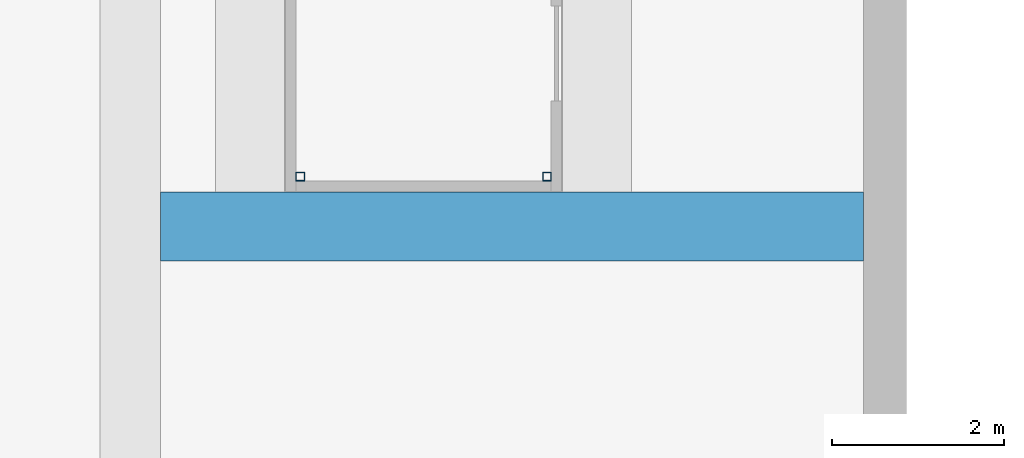
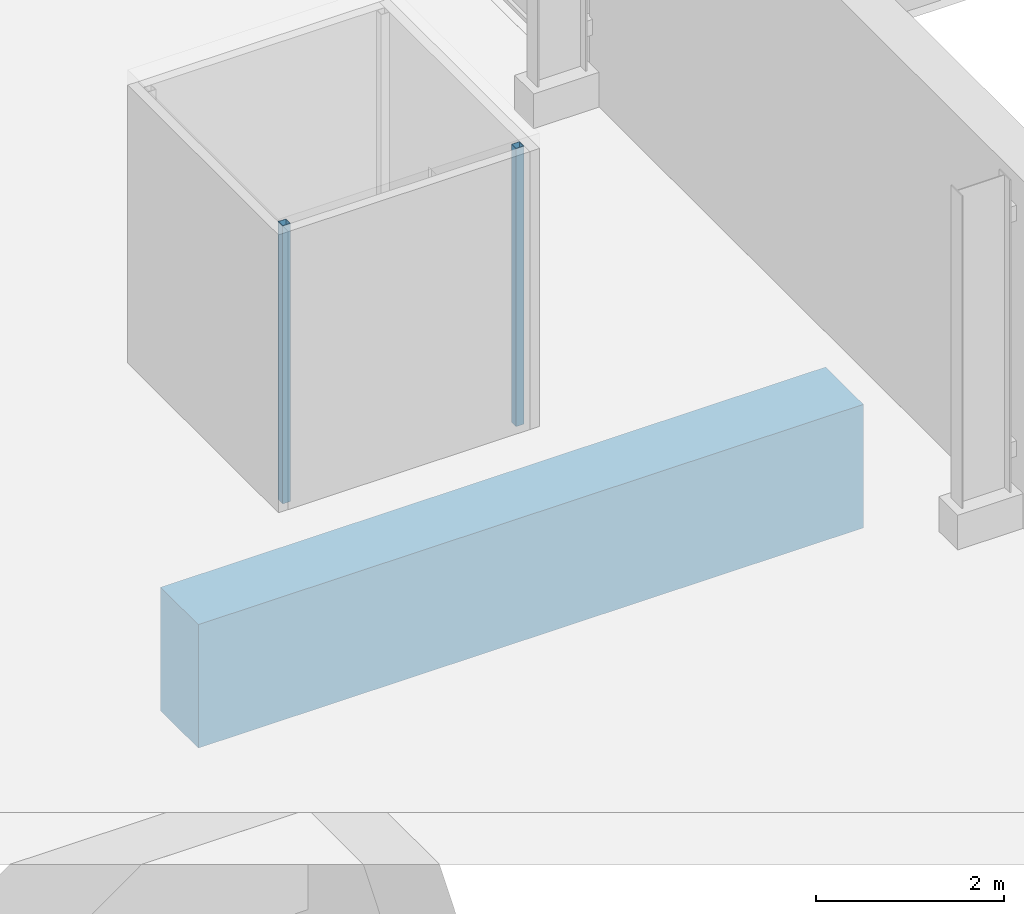
# One storey, part 17 of 168: 2 members, 1 beam.
"""IFC4 building model written with IfcOpenShell, lengths in metres."""

from ifc_helpers import new_model, si_unit, direction, frame, origin, origin_2d, place, context, subcontext, project, spatial, rectangle, hollow_rectangle, extrude, material, material_profile, profile_set, type_object, element, save


model = new_model("IFC4")

# Units and contexts
model_context = context("Model", 3, precision=1e-05, world=origin(), true_north=direction((0.0, 1.0)))
body_context = subcontext(model_context, "Body", "Model", "MODEL_VIEW")
ifc_project = project(units=[si_unit("LENGTHUNIT", "METRE"), si_unit("AREAUNIT", "SQUARE_METRE"), si_unit("VOLUMEUNIT", "CUBIC_METRE"), si_unit("PLANEANGLEUNIT", "RADIAN"), si_unit("MASSUNIT", "GRAM", prefix="KILO")], contexts=[model_context])

# Site, building, storey
site_placement = place(None, origin())
site = spatial("IfcSite", under=ifc_project, at=site_placement, CompositionType="ELEMENT")
building_placement = place(site_placement, origin())
building = spatial("IfcBuilding", under=site, at=building_placement, Name="Silverbay Arena", CompositionType="ELEMENT")
storey_placement = place(building_placement, frame((0.0, 0.0, 7.0)))
storey = spatial("IfcBuildingStorey", under=building, at=storey_placement, Name="L01", CompositionType="ELEMENT", Elevation=7.0)

# Members
ifc_material_1 = material(Name="Steel S355", Category="steel")
ifc_material_profile_1 = material_profile(ifc_material_1, hollow_rectangle(XDim=0.10009765625, YDim=0.10009765625, WallThickness=0.006103515625, at=origin_2d()), Name="RHS 100x100x6")
ifc_profile_set_1 = profile_set([ifc_material_profile_1], Name="Steel S355")
member_type = type_object("IfcMemberType", Name="Glazing post RHS 100 x 100 x 6", PredefinedType="POST", material=ifc_profile_set_1)
for number, where, z_axis, x_axis, name in (
    (1, (19.969970703125, 31.169921875, 0.0), (0.0, 0.0, 1.0), (1.0, 0.0, 0.0), "Glazing post LB-D1 1 L01"),
    (2, (22.830078125, 31.169921875, 0.0), (0.0, 0.0, 1.0), (1.0, 0.0, 0.0), "Glazing post LB-D1 2 L01"),
):
    element("IfcMember", number, at=place(storey_placement, frame(where, z_axis=z_axis, x_axis=x_axis)), inside=storey, type_object=member_type, Name=name, PredefinedType="POST", context=body_context, shape_type="SweptSolid", body=[
        extrude(hollow_rectangle(XDim=0.10009765625, YDim=0.10009765625, WallThickness=0.006103515625, at=origin_2d()), origin(), (0.0, 0.0, 1.0), 3.60009765625),
    ])

# Beam
ifc_material_2 = material(Name="Concrete Grade C45", Category="concrete")
ifc_material_profile_2 = material_profile(ifc_material_2, rectangle(XDim=0.800048828125, YDim=1.60009765625, at=origin_2d()), Name="RC 800x1600")
ifc_profile_set_2 = profile_set([ifc_material_profile_2], Name="Concrete Grade C45")
beam_type = type_object("IfcBeamType", Name="RC trimmer beam 800x1600", PredefinedType="BEAM", material=ifc_profile_set_2)
beam_placement = place(storey_placement, frame((18.35009765625, 30.590087890625, -1.25), z_axis=(1.0, 0.0, 0.0), x_axis=(0.0, 1.0, 0.0)))
element("IfcBeam", 3, at=beam_placement, inside=storey, type_object=beam_type, Name="Deck trimmer 059", PredefinedType="BEAM", context=body_context, shape_type="SweptSolid", body=[
    extrude(rectangle(XDim=0.800048828125, YDim=1.60009765625, at=origin_2d()), origin(), (0.0, 0.0, 1.0), 8.14990234375),
])

save(model, "model.ifc")
